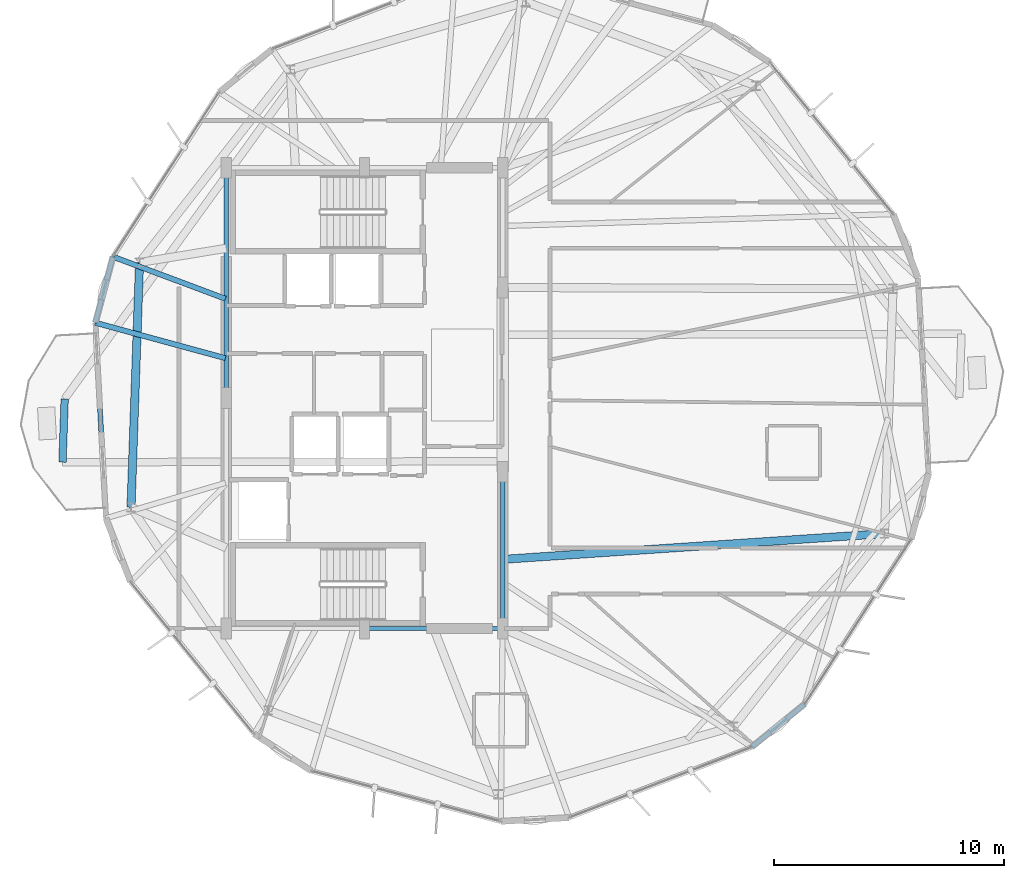
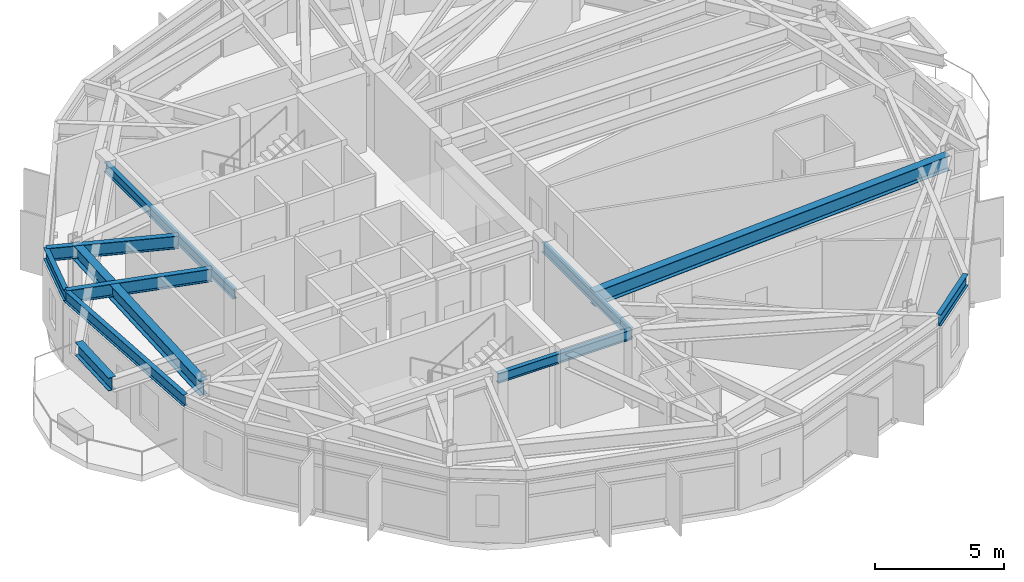
# One storey, part 7 of 26: 11 beams.
"""IFC4 building model written with IfcOpenShell, lengths in metres."""

from ifc_helpers import new_model, si_unit, direction, frame, origin, origin_2d, place, context, subcontext, project, spatial, i_section, extrude, material, material_profile, profile_set, type_object, element, save


model = new_model("IFC4")

# Units and contexts
model_context = context("Model", 3, precision=1e-05, world=origin(), true_north=direction((0.0, 1.0)))
body_context = subcontext(model_context, "Body", "Model", "MODEL_VIEW")
ifc_project = project(units=[si_unit("LENGTHUNIT", "METRE"), si_unit("AREAUNIT", "SQUARE_METRE"), si_unit("VOLUMEUNIT", "CUBIC_METRE"), si_unit("PLANEANGLEUNIT", "RADIAN"), si_unit("MASSUNIT", "GRAM", prefix="KILO")], contexts=[model_context])

# Site, building, storey
site_placement = place(None, origin())
site = spatial("IfcSite", under=ifc_project, at=site_placement, CompositionType="ELEMENT")
building_placement = place(site_placement, origin())
building = spatial("IfcBuilding", under=site, at=building_placement, Name="Soratama Intermodal Tower", CompositionType="ELEMENT")
storey_placement = place(building_placement, frame((0.0, 0.0, 242.5)))
storey = spatial("IfcBuildingStorey", under=building, at=storey_placement, Name="L61", CompositionType="ELEMENT", Elevation=242.5)

# Beams
ifc_material_1 = material(Name="Structural steel ASTM A992 Grade 50", Category="steel")
ifc_material_profile_1 = material_profile(ifc_material_1, i_section(OverallWidth=0.324951171875, OverallDepth=0.615966796875, WebThickness=0.013916015625, FlangeThickness=0.021484375, FilletRadius=0.013916015625, at=origin_2d()), Name="W24X117")
ifc_profile_set_1 = profile_set([ifc_material_profile_1], Name="Structural steel ASTM A992 Grade 50")
beam_type_1 = type_object("IfcBeamType", Name="BM-CANT-W24X117", PredefinedType="BEAM", material=ifc_profile_set_1)
beam_1_placement = place(storey_placement, frame((25.5869140625, 24.966064453125, 3.14208984375), z_axis=(-0.034159739749, -0.999416385787, 0.0), x_axis=(0.999416385787, -0.034159739749, 0.0)))
element("IfcBeam", 1, at=beam_1_placement, inside=storey, type_object=beam_type_1, Name="BM-L61-CBHDR-3", PredefinedType="BEAM", context=body_context, shape_type="SweptSolid", body=[
    extrude(i_section(OverallWidth=0.324951171875, OverallDepth=0.615966796875, WebThickness=0.013916015625, FlangeThickness=0.021484375, FilletRadius=0.013916015625, at=origin_2d()), origin(), (0.0, 0.0, 1.0), 2.751708984375),
])
ifc_material_2 = material(Name="Structural steel ASTM A992 Grade 50", Category="steel")
ifc_material_profile_2 = material_profile(ifc_material_2, i_section(OverallWidth=0.19091796875, OverallDepth=0.4599609375, WebThickness=0.010009765625, FlangeThickness=0.01611328125, FilletRadius=0.010986328125, at=origin_2d()), Name="W18X55")
ifc_profile_set_2 = profile_set([ifc_material_profile_2], Name="Structural steel ASTM A992 Grade 50")
beam_type_2 = type_object("IfcBeamType", Name="BM-FLR-W18X55", PredefinedType="BEAM", material=ifc_profile_set_2)
beam_2_placement = place(storey_placement, frame((38.60009765625, 15.0, 3.219970703125), z_axis=(1.0, 0.0, 0.0), x_axis=(0.0, 1.0, 0.0)))
element("IfcBeam", 2, at=beam_2_placement, inside=storey, type_object=beam_type_2, Name="BM-L61-CRING-02", PredefinedType="BEAM", context=body_context, shape_type="SweptSolid", body=[
    extrude(i_section(OverallWidth=0.19091796875, OverallDepth=0.4599609375, WebThickness=0.010009765625, FlangeThickness=0.01611328125, FilletRadius=0.010986328125, at=origin_2d()), origin(), (0.0, 0.0, 1.0), 6.0),
])
beam_3_placement = place(storey_placement, frame((44.60009765625, 15.0, 3.219970703125), z_axis=(0.0, 1.0, 0.0), x_axis=(-1.0, 0.0, 0.0)))
element("IfcBeam", 3, at=beam_3_placement, inside=storey, type_object=beam_type_2, Name="BM-L61-CRING-03", PredefinedType="BEAM", context=body_context, shape_type="SweptSolid", body=[
    extrude(i_section(OverallWidth=0.19091796875, OverallDepth=0.4599609375, WebThickness=0.010009765625, FlangeThickness=0.01611328125, FilletRadius=0.010986328125, at=origin_2d()), origin(), (0.0, 0.0, 1.0), 6.800048828125),
])
beam_4_placement = place(storey_placement, frame((32.60009765625, 35.0, 3.219970703125), z_axis=(0.0, -1.0, 0.0), x_axis=(1.0, 0.0, 0.0)))
element("IfcBeam", 4, at=beam_4_placement, inside=storey, type_object=beam_type_2, Name="BM-L61-CRING-08", PredefinedType="BEAM", context=body_context, shape_type="SweptSolid", body=[
    extrude(i_section(OverallWidth=0.19091796875, OverallDepth=0.4599609375, WebThickness=0.010009765625, FlangeThickness=0.01611328125, FilletRadius=0.010986328125, at=origin_2d()), origin(), (0.0, 0.0, 1.0), 10.0),
])
ifc_material_3 = material(Name="Structural steel ASTM A992 Grade 50", Category="steel")
ifc_material_profile_3 = material_profile(ifc_material_3, i_section(OverallWidth=0.35498046875, OverallDepth=0.695068359375, WebThickness=0.015380859375, FlangeThickness=0.02490234375, FilletRadius=0.01611328125, at=origin_2d()), Name="W27X146")
ifc_profile_set_3 = profile_set([ifc_material_profile_3], Name="Structural steel ASTM A992 Grade 50")
beam_type_3 = type_object("IfcBeamType", Name="BM-RING-W27X146", PredefinedType="BEAM", material=ifc_profile_set_3)
beam_5_placement = place(storey_placement, frame((28.8369140625, 30.883056640625, 3.1025390625), z_axis=(-0.034885453879, -0.999391317307, 0.0), x_axis=(0.999391317307, -0.034885453879, 0.0)))
element("IfcBeam", 5, at=beam_5_placement, inside=storey, type_object=beam_type_3, Name="BM-L61-RING-05", PredefinedType="BEAM", context=body_context, shape_type="SweptSolid", body=[
    extrude(i_section(OverallWidth=0.35498046875, OverallDepth=0.695068359375, WebThickness=0.015380859375, FlangeThickness=0.02490234375, FilletRadius=0.01611328125, at=origin_2d()), origin(), (0.0, 0.0, 1.0), 10.630615234375),
])
beam_6_placement = place(storey_placement, frame((44.60009765625, 18.0, 3.1025390625), z_axis=(0.997733912176, 0.067283285401, 0.0), x_axis=(-0.067283285401, 0.997733912176, 0.0)))
element("IfcBeam", 6, at=beam_6_placement, inside=storey, type_object=beam_type_3, Name="BM-L61-RAD-10", PredefinedType="BEAM", context=body_context, shape_type="SweptSolid", body=[
    extrude(i_section(OverallWidth=0.35498046875, OverallDepth=0.695068359375, WebThickness=0.015380859375, FlangeThickness=0.02490234375, FilletRadius=0.01611328125, at=origin_2d()), origin(), (0.0, 0.0, 1.0), 16.6005859375),
])
ifc_material_4 = material(Name="Structural steel ASTM A992 Grade 50", Category="steel")
ifc_material_profile_4 = material_profile(ifc_material_4, i_section(OverallWidth=0.2099609375, OverallDepth=0.537109375, WebThickness=0.010986328125, FlangeThickness=0.017333984375, FilletRadius=0.012939453125, at=origin_2d()), Name="W21X68")
ifc_profile_set_4 = profile_set([ifc_material_profile_4], Name="Structural steel ASTM A992 Grade 50")
beam_type_4 = type_object("IfcBeamType", Name="BM-SPN-W21X68", PredefinedType="SPANDREL", material=ifc_profile_set_4)
beam_7_placement = place(storey_placement, frame((27.677001953125, 31.136962890625, 3.181396484375), z_axis=(-0.256858343333, -0.966449063045, 0.0), x_axis=(0.966449063045, -0.256858343333, 0.0)))
element("IfcBeam", 7, at=beam_7_placement, inside=storey, type_object=beam_type_4, Name="BS-L61-CRN03", PredefinedType="SPANDREL", context=body_context, shape_type="SweptSolid", body=[
    extrude(i_section(OverallWidth=0.2099609375, OverallDepth=0.537109375, WebThickness=0.010986328125, FlangeThickness=0.017333984375, FilletRadius=0.012939453125, at=origin_2d()), origin(), (0.0, 0.0, 1.0), 2.966552734375),
])
beam_8_placement = place(storey_placement, frame((26.9150390625, 28.27001953125, 3.181396484375), z_axis=(0.054459806888, -0.998515963535, 0.0), x_axis=(0.998515963535, 0.054459806888, 0.0)))
element("IfcBeam", 8, at=beam_8_placement, inside=storey, type_object=beam_type_4, Name="BS-L61-F04", PredefinedType="SPANDREL", context=body_context, shape_type="SweptSolid", body=[
    extrude(i_section(OverallWidth=0.2099609375, OverallDepth=0.537109375, WebThickness=0.010986328125, FlangeThickness=0.017333984375, FilletRadius=0.012939453125, at=origin_2d()), origin(), (0.0, 0.0, 1.0), 8.499755859375),
])
beam_9_placement = place(storey_placement, frame((55.406982421875, 9.85205078125, 3.181396484375), z_axis=(0.775834553233, 0.630936404093, 0.0), x_axis=(-0.630936404093, 0.775834553233, 0.0)))
element("IfcBeam", 9, at=beam_9_placement, inside=storey, type_object=beam_type_4, Name="BS-L61-CRN07", PredefinedType="SPANDREL", context=body_context, shape_type="SweptSolid", body=[
    extrude(i_section(OverallWidth=0.2099609375, OverallDepth=0.537109375, WebThickness=0.010986328125, FlangeThickness=0.017333984375, FilletRadius=0.012939453125, at=origin_2d()), origin(), (0.0, 0.0, 1.0), 2.967041015625),
])
ifc_material_5 = material(Name="Structural steel ASTM A992 Grade 50", Category="steel")
ifc_material_profile_5 = material_profile(ifc_material_5, i_section(OverallWidth=0.22900390625, OverallDepth=0.612060546875, WebThickness=0.011962890625, FlangeThickness=0.01953125, FilletRadius=0.012939453125, at=origin_2d()), Name="W24X84")
ifc_profile_set_5 = profile_set([ifc_material_profile_5], Name="Structural steel ASTM A992 Grade 50")
beam_type_5 = type_object("IfcBeamType", Name="BM-TIE-W24X84", PredefinedType="BEAM", material=ifc_profile_set_5)
beam_10_placement = place(storey_placement, frame((32.56298828125, 29.31005859375, 3.14404296875), z_axis=(-0.936665343149, 0.35022569144, 0.0), x_axis=(-0.35022569144, -0.936665343149, 0.0)))
element("IfcBeam", 10, at=beam_10_placement, inside=storey, type_object=beam_type_5, Name="BM-L61-TIE1-03", PredefinedType="BEAM", context=body_context, shape_type="SweptSolid", body=[
    extrude(i_section(OverallWidth=0.22900390625, OverallDepth=0.612060546875, WebThickness=0.011962890625, FlangeThickness=0.01953125, FilletRadius=0.012939453125, at=origin_2d()), origin(), (0.0, 0.0, 1.0), 5.21630859375),
])
beam_11_placement = place(storey_placement, frame((32.56103515625, 26.73095703125, 3.14404296875), z_axis=(-0.964796547241, 0.262997381035, 0.0), x_axis=(-0.262997381035, -0.964796547241, 0.0)))
element("IfcBeam", 11, at=beam_11_placement, inside=storey, type_object=beam_type_5, Name="BM-L61-TIE0-04", PredefinedType="BEAM", context=body_context, shape_type="SweptSolid", body=[
    extrude(i_section(OverallWidth=0.22900390625, OverallDepth=0.612060546875, WebThickness=0.011962890625, FlangeThickness=0.01953125, FilletRadius=0.012939453125, at=origin_2d()), origin(), (0.0, 0.0, 1.0), 5.85205078125),
])

save(model, "model.ifc")
